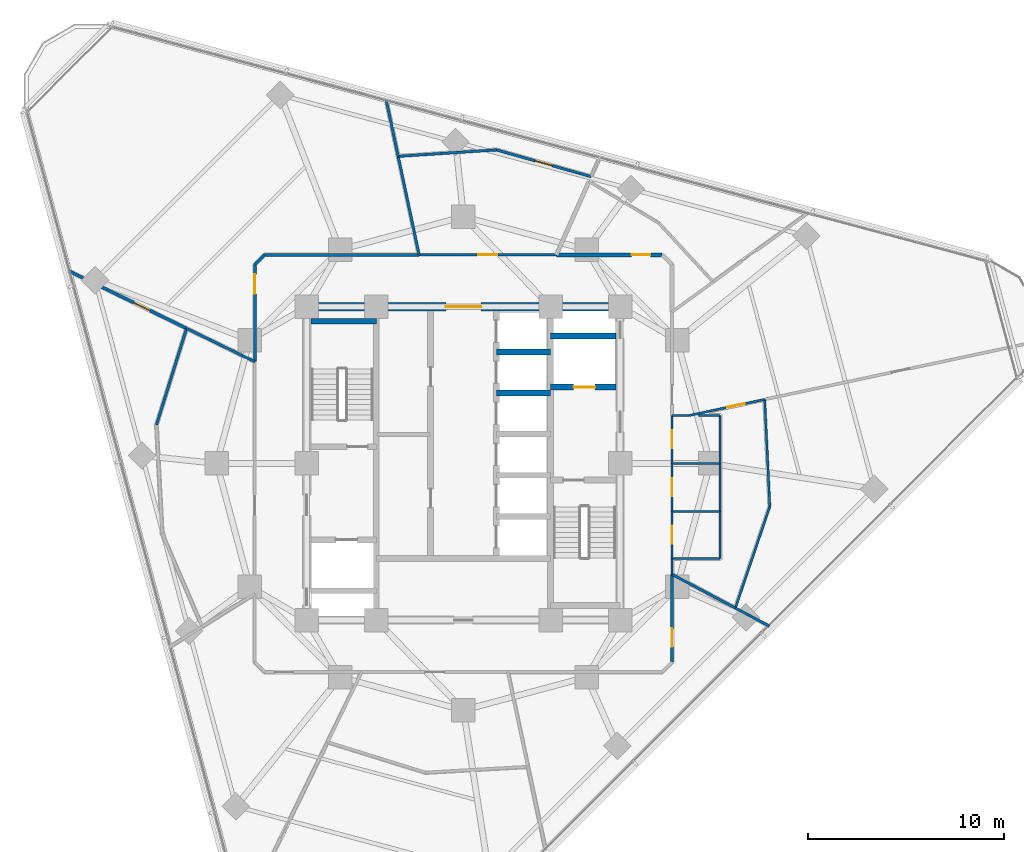
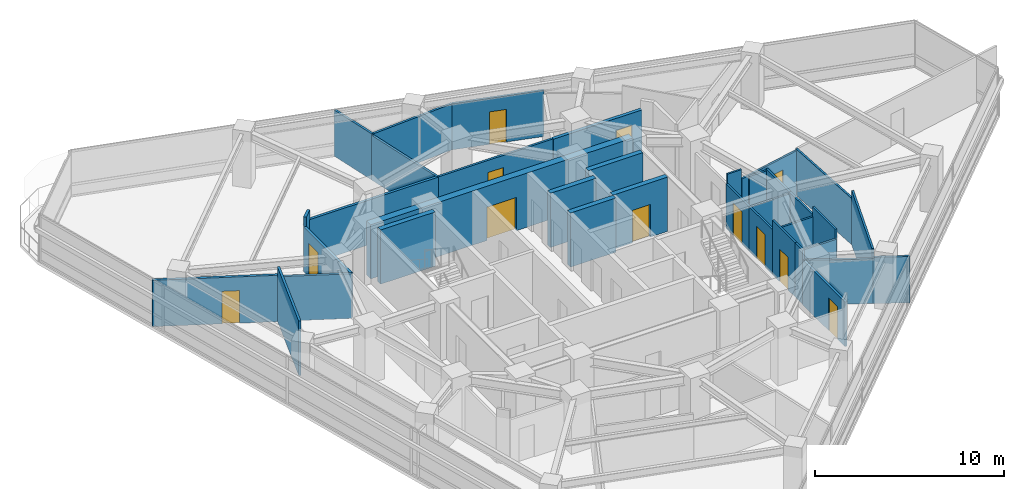
# One storey, part 8 of 14: 36 walls, 12 doors, 12 openings.
"""IFC4 building model written with IfcOpenShell, lengths in metres."""

import ifcopenshell
import ifcopenshell.guid

model = None  # the IFC model being written
_history = None  # IfcOwnerHistory: only IFC2X3 demands one
_inside = {}  # id of a spatial element -> (the spatial element, [elements in it])
_under = {}  # id of a project, library or spatial element -> (it, [spatial elements below it])
_declared = {}  # id of a project -> (the project, [libraries it declares])
_typed = {}  # id of a type object -> (the type object, [elements of that type])
_made_of = {}  # id of a material, layer set ... -> (it, [elements and type objects made of it])


def new_model(schema):
    """Start an empty IFC model of exactly this schema.

    Asked for "IFC4X3", IfcOpenShell would pick the latest addendum, in which some entities
    have other attributes; the version numbers below select the first issue.
    IFC2X3 requires an IfcOwnerHistory on every rooted entity: one is made here for all.
    """
    global model, _history
    if schema == "IFC4X3":
        model = ifcopenshell.file(schema_version=(4, 3, 0, 0))
    else:
        model = ifcopenshell.file(schema=schema)
    _inside.clear()
    _under.clear()
    _declared.clear()
    _typed.clear()
    _made_of.clear()
    _history = None
    if model.schema == "IFC2X3":
        org = make("IfcOrganization", Name="unknown")
        user = make(
            "IfcPersonAndOrganization",
            ThePerson=make("IfcPerson", FamilyName="unknown"),
            TheOrganization=org,
        )
        app = make(
            "IfcApplication",
            ApplicationDeveloper=org,
            Version="unknown",
            ApplicationFullName="unknown",
            ApplicationIdentifier="unknown",
        )
        _history = make(
            "IfcOwnerHistory",
            OwningUser=user,
            OwningApplication=app,
            ChangeAction="ADDED",
            CreationDate=0,
        )
    return model


def make(cls, **values):
    """One entity of the class cls with the attributes given. An attribute that is None is left unset."""
    return model.create_entity(
        cls, **{name: value for name, value in values.items() if value is not None}
    )


def rooted(cls, **values):
    """An entity with a GlobalId (a new one), such as an element, a storey or a relation."""
    return make(cls, GlobalId=ifcopenshell.guid.new(), OwnerHistory=_history, **values)


def si_unit(unit_type, name, prefix=None):
    """IfcSIUnit, for example si_unit("LENGTHUNIT", "METRE", prefix="MILLI")."""
    return make("IfcSIUnit", UnitType=unit_type, Prefix=prefix, Name=name)


def assignment(units):
    """IfcUnitAssignment: the units of a project."""
    return None if units is None else make("IfcUnitAssignment", Units=units)


def point(xyz):
    """IfcCartesianPoint."""
    return None if xyz is None else make("IfcCartesianPoint", Coordinates=xyz)


def direction(xyz):
    """IfcDirection."""
    return None if xyz is None else make("IfcDirection", DirectionRatios=xyz)


def frame(location, z_axis=None, x_axis=None):
    """IfcAxis2Placement3D, a coordinate frame: its origin and axes. An axis left out is left unset."""
    return make(
        "IfcAxis2Placement3D",
        Location=point(location),
        Axis=direction(z_axis),
        RefDirection=direction(x_axis),
    )


def frame_2d(location, x_axis=None):
    """IfcAxis2Placement2D, a coordinate frame in the plane: its origin and x axis."""
    return make(
        "IfcAxis2Placement2D", Location=point(location), RefDirection=direction(x_axis)
    )


def origin():
    """The frame at (0, 0, 0) with its axes left unset."""
    return frame((0.0, 0.0, 0.0))


def place(relative_to, where):
    """IfcLocalPlacement: puts the frame where relative to a parent placement (None: the world)."""
    return make(
        "IfcLocalPlacement", PlacementRelTo=relative_to, RelativePlacement=where
    )


def context(
    kind, dimensions, precision=None, world=None, true_north=None, identifier=None
):
    """IfcGeometricRepresentationContext, for example the 3D "Model" context."""
    return make(
        "IfcGeometricRepresentationContext",
        ContextIdentifier=identifier,
        ContextType=kind,
        CoordinateSpaceDimension=dimensions,
        Precision=precision,
        WorldCoordinateSystem=world,
        TrueNorth=true_north,
    )


def subcontext(parent, identifier, kind, view, scale=None):
    """IfcGeometricRepresentationSubContext, for example "Body" below "Model"."""
    return make(
        "IfcGeometricRepresentationSubContext",
        ContextIdentifier=identifier,
        ContextType=kind,
        ParentContext=parent,
        TargetScale=scale,
        TargetView=view,
    )


def project(units=None, contexts=None):
    """IfcProject with its units and contexts."""
    return rooted(
        "IfcProject",
        Name="project",
        RepresentationContexts=contexts,
        UnitsInContext=assignment(units),
    )


def spatial(cls, under=None, at=None, **own):
    """A site, building, storey or space (cls), placed at a placement, below another one or the project."""
    s = rooted(cls, ObjectPlacement=at, **own)
    if under is not None:
        _under.setdefault(under.id(), (under, []))[1].append(s)
    return s


def profile(cls, at=None, kind="AREA", **sizes):
    """A parametric profile (cls). Its sizes go by their IFC names, for example OverallWidth=200.0."""
    return make(cls, ProfileType=kind, Position=at, **sizes)


def rectangle(**sizes):
    """IfcRectangleProfileDef."""
    return profile("IfcRectangleProfileDef", **sizes)


def extrude(swept, where, along, depth):
    """IfcExtrudedAreaSolid: the profile swept, set in the frame where, extruded along a direction by depth."""
    return make(
        "IfcExtrudedAreaSolid",
        SweptArea=swept,
        Position=where,
        ExtrudedDirection=direction(along),
        Depth=depth,
    )


def shape(context_of_items, identifier, shape_type, items):
    """IfcShapeRepresentation: the items that make up one representation, for example the "Body"."""
    return make(
        "IfcShapeRepresentation",
        ContextOfItems=context_of_items,
        RepresentationIdentifier=identifier,
        RepresentationType=shape_type,
        Items=items,
    )


def material(Name=None, Category=None):
    """IfcMaterial."""
    return make("IfcMaterial", Name=Name, Category=Category)


def layer(
    of_material, thickness, ventilated=None, Name=None, Category=None, Priority=None
):
    """IfcMaterialLayer: one layer of a wall or slab, of a material (None: an air gap)."""
    return make(
        "IfcMaterialLayer",
        Material=of_material,
        LayerThickness=thickness,
        IsVentilated=ventilated,
        Name=Name,
        Category=Category,
        Priority=Priority,
    )


def layer_set(layers, Name=None):
    """IfcMaterialLayerSet."""
    return make("IfcMaterialLayerSet", MaterialLayers=layers, LayerSetName=Name)


def made_of(thing, what):
    """Note that an element or type object is made of a material, layer set ...; save() writes the relation."""
    if what is not None:
        _made_of.setdefault(what.id(), (what, []))[1].append(thing)
    return thing


def type_object(cls, material=None, **own):
    """A type object (cls), such as IfcWallType, which elements share."""
    return made_of(rooted(cls, **own), material)


def element(
    cls,
    number,
    at=None,
    inside=None,
    cuts=None,
    type_object=None,
    material=None,
    context=None,
    identifier="Body",
    shape_type=None,
    held_by="IfcProductDefinitionShape",
    body=None,
    shapes=None,
    **own,
):
    """One element of the class cls, such as IfcWall. Its Tag is "e" and its number.

    at: its placement. inside: the storey or other place that contains it. cuts: it is an
    opening in that element (IfcRelVoidsElement). A single representation is given by context,
    identifier, shape_type and body (its items); several are given by shapes. held_by: the class
    of the entity that holds the representations. save() writes the other relations.
    """
    e = rooted(cls, Tag="e%d" % number, ObjectPlacement=at, **own)
    if body is not None:
        shapes = [shape(context, identifier, shape_type, body)]
    if shapes is not None:
        e.Representation = make(held_by, Representations=shapes)
    if inside is not None:
        _inside.setdefault(inside.id(), (inside, []))[1].append(e)
    if cuts is not None:
        rooted(
            "IfcRelVoidsElement", RelatingBuildingElement=cuts, RelatedOpeningElement=e
        )
    if type_object is not None:
        _typed.setdefault(type_object.id(), (type_object, []))[1].append(e)
    return made_of(e, material)


def fill(opening, filler):
    """IfcRelFillsElement: the door or window that sits in an opening."""
    return rooted(
        "IfcRelFillsElement",
        RelatingOpeningElement=opening,
        RelatedBuildingElement=filler,
    )


def aggregate(whole, parts):
    """IfcRelAggregates: a whole, such as a stair, and the parts it consists of."""
    return rooted("IfcRelAggregates", RelatingObject=whole, RelatedObjects=parts)


def save(model, path):
    """Write the relations noted so far, then the file.

    IfcRelAggregates (storeys below a building ...), IfcRelContainedInSpatialStructure (elements
    in a storey), IfcRelDefinesByType, IfcRelAssociatesMaterial and IfcRelDeclares: one each for
    every whole, place, type object, material and project.
    """
    for whole, parts in _under.values():
        aggregate(whole, parts)
    for where, things in _inside.values():
        rooted(
            "IfcRelContainedInSpatialStructure",
            RelatedElements=things,
            RelatingStructure=where,
        )
    for kind, things in _typed.values():
        rooted("IfcRelDefinesByType", RelatedObjects=things, RelatingType=kind)
    for what, things in _made_of.values():
        rooted("IfcRelAssociatesMaterial", RelatedObjects=things, RelatingMaterial=what)
    for by, libraries in _declared.values():
        rooted("IfcRelDeclares", RelatingContext=by, RelatedDefinitions=libraries)
    model.write(path)


model = new_model("IFC4")

# Units and contexts
model_context = context("Model", 3, precision=1e-05, world=origin(), true_north=direction((0.0, 1.0)))
body_context = subcontext(model_context, "Body", "Model", "MODEL_VIEW")
ifc_project = project(units=[si_unit("LENGTHUNIT", "METRE"), si_unit("AREAUNIT", "SQUARE_METRE"), si_unit("VOLUMEUNIT", "CUBIC_METRE"), si_unit("PLANEANGLEUNIT", "RADIAN"), si_unit("MASSUNIT", "GRAM", prefix="KILO")], contexts=[model_context])

# Site, building, storey
site_placement = place(None, origin())
site = spatial("IfcSite", under=ifc_project, at=site_placement, CompositionType="ELEMENT")
building_placement = place(site_placement, origin())
building = spatial("IfcBuilding", under=site, at=building_placement, Name="Terralouvre Media Tower", CompositionType="ELEMENT")
storey_placement = place(building_placement, frame((0.0, 0.0, 187.89990234375)))
storey = spatial("IfcBuildingStorey", under=building, at=storey_placement, Name="L48", CompositionType="ELEMENT", Elevation=187.89990234375)

# Wall
ifc_material_1 = material(Name="Concrete C50/60", Category="concrete")
ifc_layer_1 = layer(ifc_material_1, 0.300048828125, Name="Core Internal Shaft Wall CW-300")
ifc_layer_set_1 = layer_set([ifc_layer_1], Name="Concrete C50/60")
wall_type_1 = type_object("IfcWallType", Name="Core Internal Shaft Wall CW-300", PredefinedType="SHEAR", material=ifc_layer_set_1)
wall_1_placement = place(storey_placement, frame((-7.7900390625, 7.260009765625, 0.0), z_axis=(0.0, 0.0, 1.0), x_axis=(1.0, 0.0, 0.0)))
element("IfcWall", 1, at=wall_1_placement, inside=storey, type_object=wall_type_1, Name="L48 Core Shaft Wall ST1F", PredefinedType="SHEAR", context=body_context, shape_type="SweptSolid", body=[
    extrude(rectangle(XDim=3.340087890625, YDim=0.300048828125, at=frame_2d((1.669921875, 0.0))), origin(), (0.0, 0.0, 1.0), 3.5),
])

# Wall, opening, door
wall_2_placement = place(storey_placement, frame((4.449951171875, 3.89990234375, 0.0), z_axis=(0.0, 0.0, 1.0), x_axis=(1.0, 0.0, 0.0)))
wall_2 = element("IfcWall", 2, at=wall_2_placement, inside=storey, type_object=wall_type_1, Name="L48 Core Shaft Wall FF2S", PredefinedType="SHEAR", context=body_context, shape_type="SweptSolid", body=[
    extrude(rectangle(XDim=3.340087890625, YDim=0.300048828125, at=frame_2d((1.669921875, 0.0))), origin(), (0.0, 0.0, 1.0), 3.5),
])
opening_1_placement = place(wall_2_placement, frame((1.179931640625, 0.0, 0.0)))
opening_1 = element("IfcOpeningElement", 3, at=opening_1_placement, cuts=wall_2, Name="Opening LD-FF", PredefinedType="OPENING", context=body_context, shape_type="SweptSolid", body=[
    extrude(rectangle(XDim=1.10009765625, YDim=2.10009765625, at=frame_2d((0.550048828125, 1.050048828125))), frame((0.0, 0.159912109375, 0.0), z_axis=(0.0, -1.0, 0.0), x_axis=(1.0, 0.0, 0.0)), (0.0, 0.0, 1.0), 0.320068359375),
])
ifc_material_2 = material(Name="Stainless steel 316 handrail and balustrade", Category="steel")
door_type_1 = type_object("IfcDoorType", Name="Firefighting Lift Sliding Landing Door LD-FF", OperationType="SLIDING_TO_LEFT", PredefinedType="DOOR", material=ifc_material_2)
door_1_placement = place(opening_1_placement, origin())
door_1 = element("IfcDoor", 4, at=door_1_placement, inside=storey, type_object=door_type_1, Name="L48 Firefighting Lift FFL-02 Landing Door", OperationType="SLIDING_TO_LEFT", OverallHeight=2.10009765625, OverallWidth=1.10009765625, PredefinedType="DOOR", context=body_context, shape_type="SweptSolid", body=[
    extrude(rectangle(XDim=1.10009765625, YDim=2.10009765625, at=frame_2d((0.550048828125, 1.050048828125))), frame((0.0, 0.02490234375, 0.0), z_axis=(0.0, -1.0, 0.0), x_axis=(1.0, 0.0, 0.0)), (0.0, 0.0, 1.0), 0.050048828125),
])
fill(opening_1, door_1)

# Walls
wall_3_placement = place(storey_placement, frame((4.449951171875, 6.5, 0.0), z_axis=(0.0, 0.0, 1.0), x_axis=(1.0, 0.0, 0.0)))
element("IfcWall", 5, at=wall_3_placement, inside=storey, type_object=wall_type_1, Name="L48 Core Shaft Wall FF2N", PredefinedType="SHEAR", context=body_context, shape_type="SweptSolid", body=[
    extrude(rectangle(XDim=3.340087890625, YDim=0.300048828125, at=frame_2d((1.669921875, 0.0))), origin(), (0.0, 0.0, 1.0), 3.5),
])
for number, where, z_axis, x_axis, name in (
    (6, (1.679931640625, 3.60009765625, 0.0), (0.0, 0.0, 1.0), (1.0, 0.0, 0.0), "L48 Core Shaft Wall PLMD1"),
    (7, (1.679931640625, 5.699951171875, 0.0), (0.0, 0.0, 1.0), (1.0, 0.0, 0.0), "L48 Core Shaft Wall PLMD2"),
):
    element("IfcWall", number, at=place(storey_placement, frame(where, z_axis=z_axis, x_axis=x_axis)), inside=storey, type_object=wall_type_1, Name=name, PredefinedType="SHEAR", context=body_context, shape_type="SweptSolid", body=[
        extrude(rectangle(XDim=2.77001953125, YDim=0.300048828125, at=frame_2d((1.385009765625, 0.0))), origin(), (0.0, 0.0, 1.0), 3.5),
    ])

# Wall, opening, door
ifc_material_3 = material(Name="Concrete C60/75", Category="concrete")
ifc_layer_2 = layer(ifc_material_3, 0.419921875, Name="Core Reinforced Concrete Shear Wall CW-420")
ifc_layer_set_2 = layer_set([ifc_layer_2], Name="Concrete C60/75")
wall_type_2 = type_object("IfcWallType", Name="Core Reinforced Concrete Shear Wall CW-420", PredefinedType="SHEAR", material=ifc_layer_set_2)
wall_4_placement = place(storey_placement, frame((-8.0, 8.0, 0.0), z_axis=(0.0, 0.0, 1.0), x_axis=(1.0, 0.0, 0.0)))
wall_4 = element("IfcWall", 8, at=wall_4_placement, inside=storey, type_object=wall_type_2, Name="L48 N Core Shear Wall", PredefinedType="SHEAR", context=body_context, shape_type="SweptSolid", body=[
    extrude(rectangle(XDim=16.0, YDim=0.419921875, at=frame_2d((8.0, 0.0))), origin(), (0.0, 0.0, 1.0), 3.5),
])
opening_2_placement = place(wall_4_placement, frame((7.10009765625, 0.0, 0.0)))
opening_2 = element("IfcOpeningElement", 9, at=opening_2_placement, cuts=wall_4, Name="Opening FD-03", PredefinedType="OPENING", context=body_context, shape_type="SweptSolid", body=[
    extrude(rectangle(XDim=1.800048828125, YDim=2.14990234375, at=frame_2d((0.89990234375, 1.074951171875))), frame((0.0, 0.219970703125, 0.0), z_axis=(0.0, -1.0, 0.0), x_axis=(1.0, 0.0, 0.0)), (0.0, 0.0, 1.0), 0.43994140625),
])
ifc_material_4 = material(Name="Galvanised steel fire-resisting leaf", Category="steel")
door_type_2 = type_object("IfcDoorType", Name="Corridor Smoke-Control Double Door FD-03", OperationType="DOUBLE_DOOR_SINGLE_SWING", PredefinedType="DOOR", material=ifc_material_4)
door_2_placement = place(opening_2_placement, origin())
door_2 = element("IfcDoor", 10, at=door_2_placement, inside=storey, type_object=door_type_2, Name="L48 Central Lift Lobby Portal Door", OperationType="DOUBLE_DOOR_SINGLE_SWING", OverallHeight=2.14990234375, OverallWidth=1.800048828125, PredefinedType="DOOR", context=body_context, shape_type="SweptSolid", body=[
    extrude(rectangle(XDim=1.800048828125, YDim=2.14990234375, at=frame_2d((0.89990234375, 1.074951171875))), frame((0.0, 0.02490234375, 0.0), z_axis=(0.0, -1.0, 0.0), x_axis=(1.0, 0.0, 0.0)), (0.0, 0.0, 1.0), 0.050048828125),
])
fill(opening_2, door_2)

ifc_material_5 = material(Name="Fire-rated gypsum board drywall partition")
ifc_layer_3 = layer(ifc_material_5, 0.199951171875, Name="Fire-Rated Shaft and Lobby Partition FW-200")
ifc_layer_set_3 = layer_set([ifc_layer_3], Name="Fire-rated gypsum board drywall partition")
wall_type_3 = type_object("IfcWallType", Name="Fire-Rated Shaft and Lobby Partition FW-200", PredefinedType="SOLIDWALL", material=ifc_layer_set_3)
wall_5_placement = place(storey_placement, frame((10.14990234375, 10.64990234375, 0.0), z_axis=(0.0, 0.0, 1.0), x_axis=(-1.0, 0.0, 0.0)))
wall_5 = element("IfcWall", 11, at=wall_5_placement, inside=storey, type_object=wall_type_3, Name="L48 Interior Partition 016", PredefinedType="SOLIDWALL", context=body_context, shape_type="SweptSolid", body=[
    extrude(rectangle(XDim=5.407958984375, YDim=0.199951171875, at=frame_2d((2.7041015625, 0.0))), origin(), (0.0, 0.0, 1.0), 2.885009765625),
])
opening_3_placement = place(wall_5_placement, frame((0.606689453125, 0.0, 0.0)))
opening_3 = element("IfcOpeningElement", 12, at=opening_3_placement, cuts=wall_5, Name="Opening FD-02-95X210", PredefinedType="OPENING", context=body_context, shape_type="SweptSolid", body=[
    extrude(rectangle(XDim=0.949951171875, YDim=2.10009765625, at=frame_2d((0.47509765625, 1.050048828125))), frame((0.0, 0.10986328125, 0.0), z_axis=(0.0, -1.0, 0.0), x_axis=(1.0, 0.0, 0.0)), (0.0, 0.0, 1.0), 0.219970703125),
])
ifc_material_6 = material(Name="Galvanised steel fire-resisting leaf", Category="steel")
door_type_3 = type_object("IfcDoorType", Name="Plant and Riser Fire Door FD-02 (950x2100)", OperationType="NOTDEFINED", PredefinedType="DOOR", material=ifc_material_6)
door_3_placement = place(opening_3_placement, origin())
door_3 = element("IfcDoor", 13, at=door_3_placement, inside=storey, type_object=door_type_3, Name="L48 Amplifier Rack Switch Room 10 Door", OperationType="SINGLE_SWING_RIGHT", OverallHeight=2.10009765625, OverallWidth=0.949951171875, PredefinedType="DOOR", context=body_context, shape_type="SweptSolid", body=[
    extrude(rectangle(XDim=0.949951171875, YDim=2.10009765625, at=frame_2d((0.47509765625, 1.050048828125))), frame((0.0, 0.02490234375, 0.0), z_axis=(0.0, -1.0, 0.0), x_axis=(1.0, 0.0, 0.0)), (0.0, 0.0, 1.0), 0.050048828125),
])
fill(opening_3, door_3)

ifc_material_7 = material(Name="Fire-rated gypsum board drywall partition")
ifc_layer_4 = layer(ifc_material_7, 0.135009765625, Name="Newsroom Acoustic Partition PT-135")
ifc_layer_set_4 = layer_set([ifc_layer_4], Name="Fire-rated gypsum board drywall partition")
wall_type_4 = type_object("IfcWallType", Name="Newsroom Acoustic Partition PT-135", PredefinedType="PARTITIONING", material=ifc_layer_set_4)
wall_6_placement = place(storey_placement, frame((10.64990234375, -10.14990234375, 0.0), z_axis=(0.0, 0.0, 1.0), x_axis=(0.0, 1.0, 0.0)))
wall_6 = element("IfcWall", 14, at=wall_6_placement, inside=storey, type_object=wall_type_4, Name="L48 Interior Partition 008", PredefinedType="PARTITIONING", context=body_context, shape_type="SweptSolid", body=[
    extrude(rectangle(XDim=4.48681640625, YDim=0.135009765625, at=frame_2d((2.243408203125, 0.0))), origin(), (0.0, 0.0, 1.0), 2.885009765625),
])
opening_4_placement = place(wall_6_placement, frame((0.781494140625, 0.0, 0.0)))
opening_4 = element("IfcOpeningElement", 15, at=opening_4_placement, cuts=wall_6, Name="Opening ID-02-95X210", PredefinedType="OPENING", context=body_context, shape_type="SweptSolid", body=[
    extrude(rectangle(XDim=0.949951171875, YDim=2.10009765625, at=frame_2d((0.47509765625, 1.050048828125))), frame((0.0, 0.077392578125, 0.0), z_axis=(0.0, -1.0, 0.0), x_axis=(1.0, 0.0, 0.0)), (0.0, 0.0, 1.0), 0.155029296875),
])
ifc_material_8 = material(Name="Engineered hardwood acoustic timber leaf", Category="wood")
door_type_4 = type_object("IfcDoorType", Name="Office and Meeting Room Door ID-02 (950x2100)", OperationType="NOTDEFINED", PredefinedType="DOOR", material=ifc_material_8)
door_4_placement = place(opening_4_placement, origin())
door_4 = element("IfcDoor", 16, at=door_4_placement, inside=storey, type_object=door_type_4, Name="L48 Sound Engineers Crew Room 5 Door", OperationType="SINGLE_SWING_LEFT", OverallHeight=2.10009765625, OverallWidth=0.949951171875, PredefinedType="DOOR", context=body_context, shape_type="SweptSolid", body=[
    extrude(rectangle(XDim=0.949951171875, YDim=2.10009765625, at=frame_2d((0.47509765625, 1.050048828125))), frame((0.0, 0.02490234375, 0.0), z_axis=(0.0, -1.0, 0.0), x_axis=(1.0, 0.0, 0.0)), (0.0, 0.0, 1.0), 0.050048828125),
])
fill(opening_4, door_4)

wall_7_placement = place(storey_placement, frame((4.741943359375, 10.64990234375, 0.0), z_axis=(0.0, 0.0, 1.0), x_axis=(-1.0, 0.0, 0.0)))
wall_7 = element("IfcWall", 17, at=wall_7_placement, inside=storey, type_object=wall_type_4, Name="L48 Interior Partition 017", PredefinedType="PARTITIONING", context=body_context, shape_type="SweptSolid", body=[
    extrude(rectangle(XDim=7.005859375, YDim=0.135009765625, at=frame_2d((3.5029296875, 0.0))), origin(), (0.0, 0.0, 1.0), 2.885009765625),
])
opening_5_placement = place(wall_7_placement, frame((3.028076171875, 0.0, 0.0)))
opening_5 = element("IfcOpeningElement", 18, at=opening_5_placement, cuts=wall_7, Name="Opening ID-02-95X210", PredefinedType="OPENING", context=body_context, shape_type="SweptSolid", body=[
    extrude(rectangle(XDim=0.949951171875, YDim=2.10009765625, at=frame_2d((0.47509765625, 1.050048828125))), frame((0.0, 0.077392578125, 0.0), z_axis=(0.0, -1.0, 0.0), x_axis=(1.0, 0.0, 0.0)), (0.0, 0.0, 1.0), 0.155029296875),
])
door_5_placement = place(opening_5_placement, origin())
door_5 = element("IfcDoor", 19, at=door_5_placement, inside=storey, type_object=door_type_4, Name="L48 Audio Producer Office 11 Door", OperationType="SINGLE_SWING_LEFT", OverallHeight=2.10009765625, OverallWidth=0.949951171875, PredefinedType="DOOR", context=body_context, shape_type="SweptSolid", body=[
    extrude(rectangle(XDim=0.949951171875, YDim=2.10009765625, at=frame_2d((0.47509765625, 1.050048828125))), frame((0.0, 0.02490234375, 0.0), z_axis=(0.0, -1.0, 0.0), x_axis=(1.0, 0.0, 0.0)), (0.0, 0.0, 1.0), 0.050048828125),
])
fill(opening_5, door_5)

# Walls
wall_8_placement = place(storey_placement, frame((-10.64990234375, 5.194091796875, 0.0), z_axis=(0.0, 0.0, 1.0), x_axis=(-0.898773885441, 0.438412480261, 0.0)))
element("IfcWall", 20, at=wall_8_placement, inside=storey, type_object=wall_type_4, Name="L48 Interior Partition 022", PredefinedType="PARTITIONING", context=body_context, shape_type="SweptSolid", body=[
    extrude(rectangle(XDim=3.882080078125, YDim=0.135009765625, at=frame_2d((1.94091796875, 0.0))), origin(), (0.0, 0.0, 1.0), 2.885009765625),
])
wall_9_placement = place(storey_placement, frame((-14.138916015625, 6.89599609375, 0.0), z_axis=(0.0, 0.0, 1.0), x_axis=(-0.298099863076, -0.954534688544, 0.0)))
element("IfcWall", 21, at=wall_9_placement, inside=storey, type_object=wall_type_4, Name="L48 Interior Partition 023", PredefinedType="PARTITIONING", context=body_context, shape_type="SweptSolid", body=[
    extrude(rectangle(XDim=5.15966796875, YDim=0.135009765625, at=frame_2d((2.579833984375, 0.0))), origin(), (0.0, 0.0, 1.0), 3.5),
])
wall_10_placement = place(storey_placement, frame((13.885986328125, -7.383056640625, 0.0), z_axis=(0.0, 0.0, 1.0), x_axis=(-0.88302513666, 0.469325695041, 0.0)))
element("IfcWall", 22, at=wall_10_placement, inside=storey, type_object=wall_type_4, Name="L48 Interior Partition 033", PredefinedType="PARTITIONING", context=body_context, shape_type="SweptSolid", body=[
    extrude(rectangle(XDim=3.664794921875, YDim=0.135009765625, at=frame_2d((1.83251953125, 0.0))), origin(), (0.0, 0.0, 1.0), 2.885009765625),
])
wall_11_placement = place(storey_placement, frame((15.625, -8.3076171875, 0.0), z_axis=(0.0, 0.0, 1.0), x_axis=(-0.882966413063, 0.469436165418, 0.0)))
element("IfcWall", 23, at=wall_11_placement, inside=storey, type_object=wall_type_4, Name="L48 Interior Partition 034", PredefinedType="PARTITIONING", context=body_context, shape_type="SweptSolid", body=[
    extrude(rectangle(XDim=1.969482421875, YDim=0.135009765625, at=frame_2d((0.98486328125, 0.0))), origin(), (0.0, 0.0, 1.0), 2.985107421875),
])

# Wall, opening, door
wall_12_placement = place(storey_placement, frame((6.52099609375, 14.64697265625, 0.0), z_axis=(0.0, 0.0, 1.0), x_axis=(-0.962425920656, 0.271544374364, 0.0)))
wall_12 = element("IfcWall", 24, at=wall_12_placement, inside=storey, type_object=wall_type_4, Name="L48 Interior Partition 053", PredefinedType="PARTITIONING", context=body_context, shape_type="SweptSolid", body=[
    extrude(rectangle(XDim=5.02685546875, YDim=0.135009765625, at=frame_2d((2.513427734375, 0.0))), origin(), (0.0, 0.0, 1.0), 2.97509765625),
])
opening_6_placement = place(wall_12_placement, frame((2.053466796875, 0.0, 0.0)))
opening_6 = element("IfcOpeningElement", 25, at=opening_6_placement, cuts=wall_12, Name="Opening ID-03-92X210", PredefinedType="OPENING", context=body_context, shape_type="SweptSolid", body=[
    extrude(rectangle(XDim=0.919921875, YDim=2.10009765625, at=frame_2d((0.4599609375, 1.050048828125))), frame((0.0, 0.077392578125, 0.0), z_axis=(0.0, -1.0, 0.0), x_axis=(1.0, 0.0, 0.0)), (0.0, 0.0, 1.0), 0.155029296875),
])
ifc_material_9 = material(Name="Engineered hardwood acoustic timber leaf", Category="wood")
door_type_5 = type_object("IfcDoorType", Name="Accessible Restroom and Suite Door ID-03 (920x2100)", OperationType="NOTDEFINED", PredefinedType="DOOR", material=ifc_material_9)
door_6_placement = place(opening_6_placement, origin())
door_6 = element("IfcDoor", 26, at=door_6_placement, inside=storey, type_object=door_type_5, Name="L48 Guest Arrival Reception 12 Door", OperationType="SINGLE_SWING_LEFT", OverallHeight=2.10009765625, OverallWidth=0.919921875, PredefinedType="DOOR", context=body_context, shape_type="SweptSolid", body=[
    extrude(rectangle(XDim=0.919921875, YDim=2.10009765625, at=frame_2d((0.4599609375, 1.050048828125))), frame((0.0, 0.02490234375, 0.0), z_axis=(0.0, -1.0, 0.0), x_axis=(1.0, 0.0, 0.0)), (0.0, 0.0, 1.0), 0.050048828125),
])
fill(opening_6, door_6)

# Walls
wall_13_placement = place(storey_placement, frame((1.68310546875, 16.011962890625, 0.0), z_axis=(0.0, 0.0, 1.0), x_axis=(-0.997858663881, -0.065407086143, 0.0)))
element("IfcWall", 27, at=wall_13_placement, inside=storey, type_object=wall_type_4, Name="L48 Interior Partition 054", PredefinedType="PARTITIONING", context=body_context, shape_type="SweptSolid", body=[
    extrude(rectangle(XDim=5.02783203125, YDim=0.135009765625, at=frame_2d((2.513916015625, 0.0))), origin(), (0.0, 0.0, 1.0), 2.97509765625),
])
wall_14_placement = place(storey_placement, frame((-3.333984375, 15.68310546875, 0.0), z_axis=(0.0, 0.0, 1.0), x_axis=(0.207954085813, -0.978138588439, 0.0)))
element("IfcWall", 28, at=wall_14_placement, inside=storey, type_object=wall_type_4, Name="L48 Interior Partition 055", PredefinedType="PARTITIONING", context=body_context, shape_type="SweptSolid", body=[
    extrude(rectangle(XDim=5.145751953125, YDim=0.135009765625, at=frame_2d((2.57275390625, 0.0))), origin(), (0.0, 0.0, 1.0), 2.885009765625),
])
wall_15_placement = place(storey_placement, frame((-3.949462890625, 18.578125, 0.0), z_axis=(0.0, 0.0, 1.0), x_axis=(0.207951490347, -0.978139140236, 0.0)))
element("IfcWall", 29, at=wall_15_placement, inside=storey, type_object=wall_type_4, Name="L48 Interior Partition 056", PredefinedType="PARTITIONING", context=body_context, shape_type="SweptSolid", body=[
    extrude(rectangle(XDim=2.959716796875, YDim=0.135009765625, at=frame_2d((1.47998046875, 0.0))), origin(), (0.0, 0.0, 1.0), 2.97509765625),
])

# Wall, opening, door
ifc_material_10 = material(Name="Fire-rated gypsum board drywall partition")
ifc_layer_5 = layer(ifc_material_10, 0.114990234375, Name="Restroom and Pantry Partition PT-115")
ifc_layer_set_5 = layer_set([ifc_layer_5], Name="Fire-rated gypsum board drywall partition")
wall_type_5 = type_object("IfcWallType", Name="Restroom and Pantry Partition PT-115", PredefinedType="PARTITIONING", material=ifc_layer_set_5)
wall_16_placement = place(storey_placement, frame((10.64990234375, -4.85009765625, 0.0), z_axis=(0.0, 0.0, 1.0), x_axis=(0.0, 1.0, 0.0)))
wall_16 = element("IfcWall", 30, at=wall_16_placement, inside=storey, type_object=wall_type_5, Name="L48 Interior Partition 009", PredefinedType="PARTITIONING", context=body_context, shape_type="SweptSolid", body=[
    extrude(rectangle(XDim=2.400146484375, YDim=0.114990234375, at=frame_2d((1.2001953125, 0.0))), origin(), (0.0, 0.0, 1.0), 3.5),
])
opening_7_placement = place(wall_16_placement, frame((0.739990234375, 0.0, 0.0)))
opening_7 = element("IfcOpeningElement", 31, at=opening_7_placement, cuts=wall_16, Name="Opening ID-03-92X210", PredefinedType="OPENING", context=body_context, shape_type="SweptSolid", body=[
    extrude(rectangle(XDim=0.919921875, YDim=2.10009765625, at=frame_2d((0.4599609375, 1.050048828125))), frame((0.0, 0.0673828125, 0.0), z_axis=(0.0, -1.0, 0.0), x_axis=(1.0, 0.0, 0.0)), (0.0, 0.0, 1.0), 0.135009765625),
])
door_7_placement = place(opening_7_placement, origin())
door_7 = element("IfcDoor", 32, at=door_7_placement, inside=storey, type_object=door_type_5, Name="L48 Male Restroom WC Door", OperationType="SINGLE_SWING_RIGHT", OverallHeight=2.10009765625, OverallWidth=0.919921875, PredefinedType="DOOR", context=body_context, shape_type="SweptSolid", body=[
    extrude(rectangle(XDim=0.919921875, YDim=2.10009765625, at=frame_2d((0.4599609375, 1.050048828125))), frame((0.0, 0.02490234375, 0.0), z_axis=(0.0, -1.0, 0.0), x_axis=(1.0, 0.0, 0.0)), (0.0, 0.0, 1.0), 0.050048828125),
])
fill(opening_7, door_7)

# Wall
wall_17_placement = place(storey_placement, frame((10.64990234375, -5.6630859375, 0.0), z_axis=(0.0, 0.0, 1.0), x_axis=(0.0, 1.0, 0.0)))
element("IfcWall", 33, at=wall_17_placement, inside=storey, type_object=wall_type_5, Name="L48 Interior Partition 010", PredefinedType="PARTITIONING", context=body_context, shape_type="SweptSolid", body=[
    extrude(rectangle(XDim=0.81298828125, YDim=0.114990234375, at=frame_2d((0.406494140625, 0.0))), origin(), (0.0, 0.0, 1.0), 3.5),
])

# Wall, opening, door
wall_18_placement = place(storey_placement, frame((10.64990234375, -2.449951171875, 0.0), z_axis=(0.0, 0.0, 1.0), x_axis=(0.0, 1.0, 0.0)))
wall_18 = element("IfcWall", 34, at=wall_18_placement, inside=storey, type_object=wall_type_5, Name="L48 Interior Partition 011", PredefinedType="PARTITIONING", context=body_context, shape_type="SweptSolid", body=[
    extrude(rectangle(XDim=2.449951171875, YDim=0.114990234375, at=frame_2d((1.22509765625, 0.0))), origin(), (0.0, 0.0, 1.0), 2.885009765625),
])
opening_8_placement = place(wall_18_placement, frame((0.764892578125, 0.0, 0.0)))
opening_8 = element("IfcOpeningElement", 35, at=opening_8_placement, cuts=wall_18, Name="Opening ID-03-92X210", PredefinedType="OPENING", context=body_context, shape_type="SweptSolid", body=[
    extrude(rectangle(XDim=0.919921875, YDim=2.10009765625, at=frame_2d((0.4599609375, 1.050048828125))), frame((0.0, 0.0673828125, 0.0), z_axis=(0.0, -1.0, 0.0), x_axis=(1.0, 0.0, 0.0)), (0.0, 0.0, 1.0), 0.135009765625),
])
door_8_placement = place(opening_8_placement, origin())
door_8 = element("IfcDoor", 36, at=door_8_placement, inside=storey, type_object=door_type_5, Name="L48 Female Restroom WC Door", OperationType="SINGLE_SWING_LEFT", OverallHeight=2.10009765625, OverallWidth=0.919921875, PredefinedType="DOOR", context=body_context, shape_type="SweptSolid", body=[
    extrude(rectangle(XDim=0.919921875, YDim=2.10009765625, at=frame_2d((0.4599609375, 1.050048828125))), frame((0.0, 0.02490234375, 0.0), z_axis=(0.0, -1.0, 0.0), x_axis=(1.0, 0.0, 0.0)), (0.0, 0.0, 1.0), 0.050048828125),
])
fill(opening_8, door_8)

wall_19_placement = place(storey_placement, frame((10.64990234375, 0.0, 0.0), z_axis=(0.0, 0.0, 1.0), x_axis=(0.0, 1.0, 0.0)))
wall_19 = element("IfcWall", 37, at=wall_19_placement, inside=storey, type_object=wall_type_5, Name="L48 Interior Partition 012", PredefinedType="PARTITIONING", context=body_context, shape_type="SweptSolid", body=[
    extrude(rectangle(XDim=2.449951171875, YDim=0.114990234375, at=frame_2d((1.22509765625, 0.0))), origin(), (0.0, 0.0, 1.0), 2.885009765625),
])
opening_9_placement = place(wall_19_placement, frame((0.764892578125, 0.0, 0.0)))
opening_9 = element("IfcOpeningElement", 38, at=opening_9_placement, cuts=wall_19, Name="Opening ID-03-92X210", PredefinedType="OPENING", context=body_context, shape_type="SweptSolid", body=[
    extrude(rectangle(XDim=0.919921875, YDim=2.10009765625, at=frame_2d((0.4599609375, 1.050048828125))), frame((0.0, 0.0673828125, 0.0), z_axis=(0.0, -1.0, 0.0), x_axis=(1.0, 0.0, 0.0)), (0.0, 0.0, 1.0), 0.135009765625),
])
door_9_placement = place(opening_9_placement, origin())
door_9 = element("IfcDoor", 39, at=door_9_placement, inside=storey, type_object=door_type_5, Name="L48 Accessible Unisex WC Door", OperationType="SINGLE_SWING_RIGHT", OverallHeight=2.10009765625, OverallWidth=0.919921875, PredefinedType="DOOR", context=body_context, shape_type="SweptSolid", body=[
    extrude(rectangle(XDim=0.919921875, YDim=2.10009765625, at=frame_2d((0.4599609375, 1.050048828125))), frame((0.0, 0.02490234375, 0.0), z_axis=(0.0, -1.0, 0.0), x_axis=(1.0, 0.0, 0.0)), (0.0, 0.0, 1.0), 0.050048828125),
])
fill(opening_9, door_9)

# Walls
wall_20_placement = place(storey_placement, frame((10.64990234375, -4.85009765625, 0.0), z_axis=(0.0, 0.0, 1.0), x_axis=(1.0, 0.0, 0.0)))
element("IfcWall", 40, at=wall_20_placement, inside=storey, type_object=wall_type_5, Name="L48 Interior Partition 035", PredefinedType="PARTITIONING", context=body_context, shape_type="SweptSolid", body=[
    extrude(rectangle(XDim=2.4501953125, YDim=0.114990234375, at=frame_2d((1.22509765625, 0.0))), origin(), (0.0, 0.0, 1.0), 2.885009765625),
])
wall_21_placement = place(storey_placement, frame((13.10009765625, -4.85009765625, 0.0), z_axis=(0.0, 0.0, 1.0), x_axis=(0.0, 1.0, 0.0)))
element("IfcWall", 41, at=wall_21_placement, inside=storey, type_object=wall_type_5, Name="L48 Interior Partition 036", PredefinedType="PARTITIONING", context=body_context, shape_type="SweptSolid", body=[
    extrude(rectangle(XDim=2.400146484375, YDim=0.114990234375, at=frame_2d((1.2001953125, 0.0))), origin(), (0.0, 0.0, 1.0), 3.5),
])
wall_22_placement = place(storey_placement, frame((13.10009765625, -2.449951171875, 0.0), z_axis=(0.0, 0.0, 1.0), x_axis=(-1.0, 0.0, 0.0)))
element("IfcWall", 42, at=wall_22_placement, inside=storey, type_object=wall_type_5, Name="L48 Interior Partition 037", PredefinedType="PARTITIONING", context=body_context, shape_type="SweptSolid", body=[
    extrude(rectangle(XDim=2.4501953125, YDim=0.114990234375, at=frame_2d((1.22509765625, 0.0))), origin(), (0.0, 0.0, 1.0), 2.885009765625),
])
wall_23_placement = place(storey_placement, frame((13.10009765625, 0.0, 0.0), z_axis=(0.0, 0.0, 1.0), x_axis=(0.0, -1.0, 0.0)))
element("IfcWall", 43, at=wall_23_placement, inside=storey, type_object=wall_type_5, Name="L48 Interior Partition 038", PredefinedType="PARTITIONING", context=body_context, shape_type="SweptSolid", body=[
    extrude(rectangle(XDim=2.449951171875, YDim=0.114990234375, at=frame_2d((1.22509765625, 0.0))), origin(), (0.0, 0.0, 1.0), 2.985107421875),
])
wall_24_placement = place(storey_placement, frame((13.885986328125, -7.383056640625, 0.0), z_axis=(0.0, 0.0, 1.0), x_axis=(0.321480582018, 0.946916171255, 0.0)))
element("IfcWall", 44, at=wall_24_placement, inside=storey, type_object=wall_type_5, Name="L48 Interior Partition 039", PredefinedType="PARTITIONING", context=body_context, shape_type="SweptSolid", body=[
    extrude(rectangle(XDim=5.474609375, YDim=0.114990234375, at=frame_2d((2.7373046875, 0.0))), origin(), (0.0, 0.0, 1.0), 3.5),
])
wall_25_placement = place(storey_placement, frame((15.64599609375, -2.198974609375, 0.0), z_axis=(0.0, 0.0, 1.0), x_axis=(-0.047844791808, 0.998854782187, 0.0)))
element("IfcWall", 45, at=wall_25_placement, inside=storey, type_object=wall_type_5, Name="L48 Interior Partition 040", PredefinedType="PARTITIONING", context=body_context, shape_type="SweptSolid", body=[
    extrude(rectangle(XDim=5.475341796875, YDim=0.114990234375, at=frame_2d((2.73779296875, 0.0))), origin(), (0.0, 0.0, 1.0), 2.985107421875),
])
wall_26_placement = place(storey_placement, frame((12.007080078125, 2.449951171875, 0.0), z_axis=(0.0, 0.0, 1.0), x_axis=(1.0, 0.0, 0.0)))
element("IfcWall", 46, at=wall_26_placement, inside=storey, type_object=wall_type_5, Name="L48 Interior Partition 041", PredefinedType="PARTITIONING", context=body_context, shape_type="SweptSolid", body=[
    extrude(rectangle(XDim=1.093017578125, YDim=0.114990234375, at=frame_2d((0.54638671875, 0.0))), origin(), (0.0, 0.0, 1.0), 2.885009765625),
])
wall_27_placement = place(storey_placement, frame((13.10009765625, 2.449951171875, 0.0), z_axis=(0.0, 0.0, 1.0), x_axis=(0.0, -1.0, 0.0)))
element("IfcWall", 47, at=wall_27_placement, inside=storey, type_object=wall_type_5, Name="L48 Interior Partition 042", PredefinedType="PARTITIONING", context=body_context, shape_type="SweptSolid", body=[
    extrude(rectangle(XDim=2.449951171875, YDim=0.114990234375, at=frame_2d((1.22509765625, 0.0))), origin(), (0.0, 0.0, 1.0), 2.985107421875),
])

# Wall, opening, door
wall_28_placement = place(storey_placement, frame((15.384033203125, 3.27001953125, 0.0), z_axis=(0.0, 0.0, 1.0), x_axis=(-0.978147995284, -0.207909834598, 0.0)))
wall_28 = element("IfcWall", 48, at=wall_28_placement, inside=storey, type_object=wall_type_5, Name="L48 Interior Partition 043", PredefinedType="PARTITIONING", context=body_context, shape_type="SweptSolid", body=[
    extrude(rectangle(XDim=3.9443359375, YDim=0.114990234375, at=frame_2d((1.97216796875, 0.0))), origin(), (0.0, 0.0, 1.0), 2.885009765625),
])
opening_10_placement = place(wall_28_placement, frame((1.038818359375, 0.0, 0.0)))
opening_10 = element("IfcOpeningElement", 49, at=opening_10_placement, cuts=wall_28, Name="Opening ID-03-92X210", PredefinedType="OPENING", context=body_context, shape_type="SweptSolid", body=[
    extrude(rectangle(XDim=0.919921875, YDim=2.10009765625, at=frame_2d((0.4599609375, 1.050048828125))), frame((0.0, 0.0673828125, 0.0), z_axis=(0.0, -1.0, 0.0), x_axis=(1.0, 0.0, 0.0)), (0.0, 0.0, 1.0), 0.135009765625),
])
door_10_placement = place(opening_10_placement, origin())
door_10 = element("IfcDoor", 50, at=door_10_placement, inside=storey, type_object=door_type_5, Name="L48 Artist Hospitality Kitchen 6 Door", OperationType="SINGLE_SWING_RIGHT", OverallHeight=2.10009765625, OverallWidth=0.919921875, PredefinedType="DOOR", context=body_context, shape_type="SweptSolid", body=[
    extrude(rectangle(XDim=0.919921875, YDim=2.10009765625, at=frame_2d((0.4599609375, 1.050048828125))), frame((0.0, 0.02490234375, 0.0), z_axis=(0.0, -1.0, 0.0), x_axis=(1.0, 0.0, 0.0)), (0.0, 0.0, 1.0), 0.050048828125),
])
fill(opening_10, door_10)

# Walls
wall_29_placement = place(storey_placement, frame((13.10009765625, 0.0, 0.0), z_axis=(0.0, 0.0, 1.0), x_axis=(-1.0, 0.0, 0.0)))
element("IfcWall", 51, at=wall_29_placement, inside=storey, type_object=wall_type_5, Name="L48 Interior Partition 044", PredefinedType="PARTITIONING", context=body_context, shape_type="SweptSolid", body=[
    extrude(rectangle(XDim=2.4501953125, YDim=0.114990234375, at=frame_2d((1.22509765625, 0.0))), origin(), (0.0, 0.0, 1.0), 2.885009765625),
])
wall_30_placement = place(storey_placement, frame((11.52587890625, 2.449951171875, 0.0), z_axis=(0.0, 0.0, 1.0), x_axis=(-1.0, 0.0, 0.0)))
element("IfcWall", 52, at=wall_30_placement, inside=storey, type_object=wall_type_5, Name="L48 Interior Partition 046", PredefinedType="PARTITIONING", context=body_context, shape_type="SweptSolid", body=[
    extrude(rectangle(XDim=0.8759765625, YDim=0.114990234375, at=frame_2d((0.43798828125, 0.0))), origin(), (0.0, 0.0, 1.0), 3.5),
])
ifc_material_11 = material(Name="Fire-rated gypsum board drywall partition")
ifc_layer_6 = layer(ifc_material_11, 0.159912109375, Name="Studio Acoustic Rated Partition PT-160")
ifc_layer_set_6 = layer_set([ifc_layer_6], Name="Fire-rated gypsum board drywall partition")
wall_type_6 = type_object("IfcWallType", Name="Studio Acoustic Rated Partition PT-160", PredefinedType="PARTITIONING", material=ifc_layer_set_6)
wall_31_placement = place(storey_placement, frame((-2.263916015625, 10.64990234375, 0.0), z_axis=(0.0, 0.0, 1.0), x_axis=(-1.0, 0.0, 0.0)))
element("IfcWall", 53, at=wall_31_placement, inside=storey, type_object=wall_type_6, Name="L48 Interior Partition 018", PredefinedType="PARTITIONING", context=body_context, shape_type="SweptSolid", body=[
    extrude(rectangle(XDim=7.885986328125, YDim=0.159912109375, at=frame_2d((3.94287109375, 0.0))), origin(), (0.0, 0.0, 1.0), 2.885009765625),
])
wall_32_placement = place(storey_placement, frame((-10.14990234375, 10.64990234375, 0.0), z_axis=(0.0, 0.0, 1.0), x_axis=(-0.707106781187, -0.707106781187, 0.0)))
element("IfcWall", 54, at=wall_32_placement, inside=storey, type_object=wall_type_6, Name="L48 Interior Partition 019", PredefinedType="PARTITIONING", context=body_context, shape_type="SweptSolid", body=[
    extrude(rectangle(XDim=0.70703125, YDim=0.159912109375, at=frame_2d((0.353515625, 0.0))), origin(), (0.0, 0.0, 1.0), 3.5),
])

# Wall, opening, door
wall_33_placement = place(storey_placement, frame((-10.64990234375, 10.14990234375, 0.0), z_axis=(0.0, 0.0, 1.0), x_axis=(0.0, -1.0, 0.0)))
wall_33 = element("IfcWall", 55, at=wall_33_placement, inside=storey, type_object=wall_type_6, Name="L48 Interior Partition 020", PredefinedType="PARTITIONING", context=body_context, shape_type="SweptSolid", body=[
    extrude(rectangle(XDim=4.955810546875, YDim=0.159912109375, at=frame_2d((2.47802734375, 0.0))), origin(), (0.0, 0.0, 1.0), 2.885009765625),
])
opening_11_placement = place(wall_33_placement, frame((0.4912109375, 0.0, 0.0)))
opening_11 = element("IfcOpeningElement", 56, at=opening_11_placement, cuts=wall_33, Name="Opening ID-01-100X215", PredefinedType="OPENING", context=body_context, shape_type="SweptSolid", body=[
    extrude(rectangle(XDim=1.0, YDim=2.14990234375, at=frame_2d((0.5, 1.074951171875))), frame((0.0, 0.08984375, 0.0), z_axis=(0.0, -1.0, 0.0), x_axis=(1.0, 0.0, 0.0)), (0.0, 0.0, 1.0), 0.179931640625),
])
ifc_material_12 = material(Name="Engineered hardwood acoustic timber leaf", Category="wood")
door_type_6 = type_object("IfcDoorType", Name="Broadcast Studio Acoustic Single Door ID-01 (1000x2150)", OperationType="NOTDEFINED", PredefinedType="DOOR", material=ifc_material_12)
door_11_placement = place(opening_11_placement, origin())
door_11 = element("IfcDoor", 57, at=door_11_placement, inside=storey, type_object=door_type_6, Name="L48 Audio Mastering Control Room 13 Door", OperationType="SINGLE_SWING_RIGHT", OverallHeight=2.14990234375, OverallWidth=1.0, PredefinedType="DOOR", context=body_context, shape_type="SweptSolid", body=[
    extrude(rectangle(XDim=1.0, YDim=2.14990234375, at=frame_2d((0.5, 1.074951171875))), frame((0.0, 0.02490234375, 0.0), z_axis=(0.0, -1.0, 0.0), x_axis=(1.0, 0.0, 0.0)), (0.0, 0.0, 1.0), 0.050048828125),
])
fill(opening_11, door_11)

wall_34_placement = place(storey_placement, frame((-20.15380859375, 9.829345703125, 0.0), z_axis=(0.0, 0.0, 1.0), x_axis=(0.898812268895, -0.43833378296, 0.0)))
wall_34 = element("IfcWall", 58, at=wall_34_placement, inside=storey, type_object=wall_type_6, Name="L48 Interior Partition 057", PredefinedType="PARTITIONING", context=body_context, shape_type="SweptSolid", body=[
    extrude(rectangle(XDim=6.692138671875, YDim=0.159912109375, at=frame_2d((3.34619140625, 0.0))), origin(), (0.0, 0.0, 1.0), 2.985107421875),
])
opening_12_placement = place(wall_34_placement, frame((3.68896484375, 0.0, 0.0)))
opening_12 = element("IfcOpeningElement", 59, at=opening_12_placement, cuts=wall_34, Name="Opening ID-03-92X210", PredefinedType="OPENING", context=body_context, shape_type="SweptSolid", body=[
    extrude(rectangle(XDim=0.919921875, YDim=2.10009765625, at=frame_2d((0.4599609375, 1.050048828125))), frame((0.0, 0.08984375, 0.0), z_axis=(0.0, -1.0, 0.0), x_axis=(1.0, 0.0, 0.0)), (0.0, 0.0, 1.0), 0.179931640625),
])
door_12_placement = place(opening_12_placement, origin())
door_12 = element("IfcDoor", 60, at=door_12_placement, inside=storey, type_object=door_type_5, Name="L48 Radio Continuity Control Room 14 Door", OperationType="SINGLE_SWING_RIGHT", OverallHeight=2.10009765625, OverallWidth=0.919921875, PredefinedType="DOOR", context=body_context, shape_type="SweptSolid", body=[
    extrude(rectangle(XDim=0.919921875, YDim=2.10009765625, at=frame_2d((0.4599609375, 1.050048828125))), frame((0.0, 0.02490234375, 0.0), z_axis=(0.0, -1.0, 0.0), x_axis=(1.0, 0.0, 0.0)), (0.0, 0.0, 1.0), 0.050048828125),
])
fill(opening_12, door_12)

save(model, "model.ifc")
